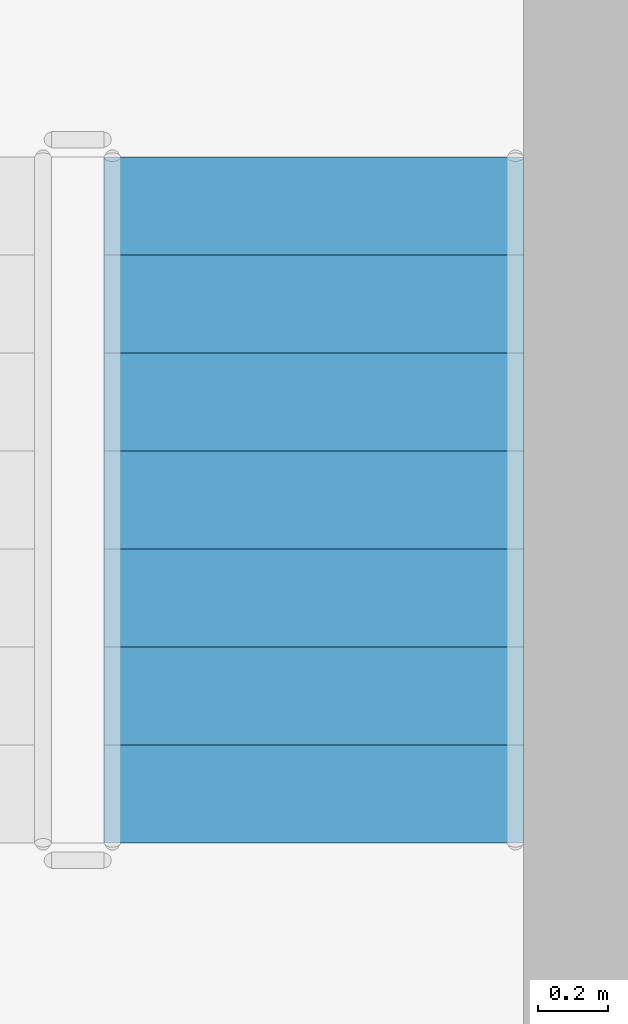
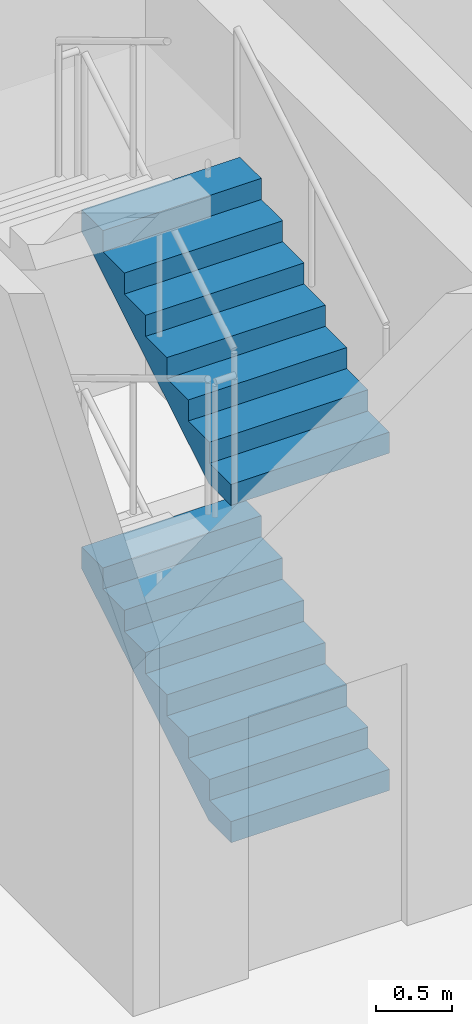
# One storey, part 50 of 101: 2 stair flights, 1 element without a shape of its own.
"""IFC4 building model written with IfcOpenShell, lengths in metres."""

from ifc_helpers import new_model, si_unit, direction, frame, origin, place, context, subcontext, project, spatial, triangles, material, type_object, element, aggregate, save


model = new_model("IFC4")

# Units and contexts
model_context = context("Model", 3, precision=1e-05, world=origin(), true_north=direction((0.0, 1.0)))
body_context = subcontext(model_context, "Body", "Model", "MODEL_VIEW")
ifc_project = project(units=[si_unit("LENGTHUNIT", "METRE"), si_unit("AREAUNIT", "SQUARE_METRE"), si_unit("VOLUMEUNIT", "CUBIC_METRE"), si_unit("PLANEANGLEUNIT", "RADIAN"), si_unit("MASSUNIT", "GRAM", prefix="KILO")], contexts=[model_context])

# Site, building, storey
site_placement = place(None, origin())
site = spatial("IfcSite", under=ifc_project, at=site_placement, CompositionType="ELEMENT")
building_placement = place(site_placement, origin())
building = spatial("IfcBuilding", under=site, at=building_placement, Name="Magnolia Steps Interchange", CompositionType="ELEMENT")
storey_placement = place(building_placement, frame((0.0, 0.0, -5.39990234375)))
storey = spatial("IfcBuildingStorey", under=building, at=storey_placement, Name="B1", CompositionType="ELEMENT", Elevation=-5.39990234375)

# Stair, stair flights
ifc_material_1 = material(Name="Concrete C40", Category="concrete")
stair_type = type_object("IfcStairType", Name="Exit stair 1200", PredefinedType="HALF_TURN_STAIR", material=ifc_material_1)
stair_placement = place(storey_placement, origin())
stair = element("IfcStair", 1, at=stair_placement, inside=storey, type_object=stair_type, Name="B1 Stair 20", PredefinedType="HALF_TURN_STAIR")
ifc_material_2 = material(Name="Concrete C40", Category="concrete")
stair_flight_type = type_object("IfcStairFlightType", Name="Exit stair flight", PredefinedType="STRAIGHT", material=ifc_material_2)
stair_flight_1_placement = place(storey_placement, frame((95.300048828125, 38.699951171875, 0.0), z_axis=(0.0, 0.0, 1.0), x_axis=(0.0, 1.0, 0.0)))
stair_flight_1 = element("IfcStairFlight", 2, at=stair_flight_1_placement, type_object=stair_flight_type, Name="Stair 20 flight 1", NumberOfRisers=8, NumberOfTreads=7, PredefinedType="STRAIGHT", RiserHeight=0.16875, TreadLength=0.28, context=body_context, shape_type="Tessellation", body=[
    triangles([(0.0, -0.5999755859375, 0.0), (0.29052734375, -0.5999755859375, 0.0), (1.9599609375, -0.5999755859375, 1.00634765625), (1.9599609375, -0.5999755859375, 1.18115234375), (1.679931640625, -0.5999755859375, 1.18115234375), (1.679931640625, -0.5999755859375, 1.012451171875), (1.39990234375, -0.5999755859375, 1.012451171875), (1.39990234375, -0.5999755859375, 0.84375), (1.1201171875, -0.5999755859375, 0.84375), (1.1201171875, -0.5999755859375, 0.675048828125), (0.840087890625, -0.5999755859375, 0.675048828125), (0.840087890625, -0.5999755859375, 0.50634765625), (0.56005859375, -0.5999755859375, 0.50634765625), (0.56005859375, -0.5999755859375, 0.33740234375), (0.280029296875, -0.5999755859375, 0.33740234375), (0.280029296875, -0.5999755859375, 0.168701171875), (0.0, -0.5999755859375, 0.168701171875), (0.0, 0.5999755859375, 0.0), (0.29052734375, 0.5999755859375, 0.0), (1.9599609375, 0.5999755859375, 1.00634765625), (1.9599609375, 0.5999755859375, 1.18115234375), (1.679931640625, 0.5999755859375, 1.18115234375), (1.679931640625, 0.5999755859375, 1.012451171875), (1.39990234375, 0.5999755859375, 1.012451171875), (1.39990234375, 0.5999755859375, 0.84375), (1.1201171875, 0.5999755859375, 0.84375), (1.1201171875, 0.5999755859375, 0.675048828125), (0.840087890625, 0.5999755859375, 0.675048828125), (0.840087890625, 0.5999755859375, 0.50634765625), (0.56005859375, 0.5999755859375, 0.50634765625), (0.56005859375, 0.5999755859375, 0.33740234375), (0.280029296875, 0.5999755859375, 0.33740234375), (0.280029296875, 0.5999755859375, 0.168701171875), (0.0, 0.5999755859375, 0.168701171875), (0.0, 0.0, 0.0), (0.0, 0.0, 0.04217529296875), (0.0, 0.0, 0.0843505859375), (0.0, 0.0, 0.12652587890625), (0.0, 0.0, 0.168701171875), (0.0, -0.05, 0.0), (0.0, -0.05, 0.168701171875), (0.0, 0.05, 0.0), (0.0, 0.05, 0.168701171875), (0.046671549479166664, 0.0, 0.168701171875), (0.09334309895833333, 0.0, 0.168701171875), (0.1400146484375, 0.0, 0.168701171875), (0.18668619791666666, 0.0, 0.168701171875), (0.23335774739583334, 0.0, 0.168701171875), (0.280029296875, 0.0, 0.168701171875), (0.280029296875, -0.05, 0.168701171875), (0.280029296875, 0.05, 0.168701171875), (0.280029296875, 0.0, 0.21087646484375), (0.280029296875, 0.0, 0.2530517578125), (0.280029296875, 0.0, 0.29522705078125), (0.280029296875, 0.0, 0.33740234375), (0.280029296875, -0.05, 0.33740234375), (0.280029296875, 0.05, 0.33740234375), (0.3267008463541667, 0.0, 0.33740234375), (0.3733723958333333, 0.0, 0.33740234375), (0.4200439453125, 0.0, 0.33740234375), (0.46671549479166663, 0.0, 0.33740234375), (0.5133870442708334, 0.0, 0.33740234375), (0.56005859375, 0.0, 0.33740234375), (0.56005859375, -0.05, 0.33740234375), (0.56005859375, 0.05, 0.33740234375), (0.56005859375, 0.0, 0.379638671875), (0.56005859375, 0.0, 0.421875), (0.56005859375, 0.0, 0.464111328125), (0.56005859375, 0.0, 0.50634765625), (0.56005859375, -0.05, 0.50634765625), (0.56005859375, 0.05, 0.50634765625), (0.6067301432291666, 0.0, 0.50634765625), (0.6534016927083334, 0.0, 0.50634765625), (0.7000732421875, 0.0, 0.50634765625), (0.7467447916666666, 0.0, 0.50634765625), (0.7934163411458334, 0.0, 0.50634765625), (0.840087890625, 0.0, 0.50634765625), (0.840087890625, -0.05, 0.50634765625), (0.840087890625, 0.05, 0.50634765625), (0.840087890625, 0.0, 0.54852294921875), (0.840087890625, 0.0, 0.5906982421875), (0.840087890625, 0.0, 0.63287353515625), (0.840087890625, 0.0, 0.675048828125), (0.840087890625, -0.05, 0.675048828125), (0.840087890625, 0.05, 0.675048828125), (0.8867594401041666, 0.0, 0.675048828125), (0.9334309895833334, 0.0, 0.675048828125), (0.9801025390625, 0.0, 0.675048828125), (1.0267740885416667, 0.0, 0.675048828125), (1.0734456380208333, 0.0, 0.675048828125), (1.1201171875, 0.0, 0.675048828125), (1.1201171875, -0.05, 0.675048828125), (1.1201171875, 0.05, 0.675048828125), (1.1201171875, 0.0, 0.71722412109375), (1.1201171875, 0.0, 0.7593994140625), (1.1201171875, 0.0, 0.80157470703125), (1.1201171875, 0.0, 0.84375), (1.1201171875, -0.05, 0.84375), (1.1201171875, 0.05, 0.84375), (1.1900634765625, 0.0, 0.84375), (1.260009765625, 0.0, 0.84375), (1.3299560546875, 0.0, 0.84375), (1.39990234375, 0.0, 0.84375), (1.39990234375, -0.05, 0.84375), (1.39990234375, 0.05, 0.84375), (1.39990234375, 0.0, 0.88592529296875), (1.39990234375, 0.0, 0.9281005859375), (1.39990234375, 0.0, 0.97027587890625), (1.39990234375, 0.0, 1.012451171875), (1.39990234375, -0.05, 1.012451171875), (1.39990234375, 0.05, 1.012451171875), (1.4465738932291667, 0.0, 1.012451171875), (1.4932454427083333, 0.0, 1.012451171875), (1.5399169921875, 0.0, 1.012451171875), (1.5865885416666667, 0.0, 1.012451171875), (1.6332600911458333, 0.0, 1.012451171875), (1.679931640625, 0.0, 1.012451171875), (1.679931640625, -0.05, 1.012451171875), (1.679931640625, 0.05, 1.012451171875), (1.679931640625, 0.0, 1.05462646484375), (1.679931640625, 0.0, 1.0968017578125), (1.679931640625, 0.0, 1.13897705078125), (1.679931640625, 0.0, 1.18115234375), (1.679931640625, -0.05, 1.18115234375), (1.679931640625, 0.05, 1.18115234375), (1.7266031901041667, 0.0, 1.18115234375), (1.7732747395833333, 0.0, 1.18115234375), (1.8199462890625, 0.0, 1.18115234375), (1.8666178385416667, 0.0, 1.18115234375), (1.9132893880208333, 0.0, 1.18115234375), (1.9599609375, 0.0, 1.18115234375), (1.9599609375, -0.05, 1.18115234375), (1.9599609375, 0.05, 1.18115234375), (1.9599609375, 0.0, 1.137451171875), (1.9599609375, 0.0, 1.09375), (1.9599609375, 0.0, 1.050048828125), (1.9599609375, 0.0, 1.00634765625), (1.9599609375, -0.05, 1.00634765625), (1.9599609375, 0.05, 1.00634765625), (1.9003383091517858, 0.0, 0.9704066685267857), (1.8407156808035714, 0.0, 0.9344656808035714), (1.7810930524553572, 0.0, 0.8985246930803571), (1.7214704241071428, 0.0, 0.8625837053571428), (1.6618477957589286, 0.0, 0.8266427176339286), (1.6022251674107144, 0.0, 0.7907017299107143), (1.5426025390625, 0.0, 0.7547607421875), (1.4829799107142856, 0.0, 0.7188197544642857), (1.4233572823660714, 0.0, 0.6828787667410714), (1.3637346540178572, 0.0, 0.6469377790178572), (1.3041120256696428, 0.0, 0.6109967912946428), (1.2444893973214286, 0.0, 0.5750558035714286), (1.1848667689732144, 0.0, 0.5391148158482143), (1.125244140625, 0.0, 0.503173828125), (1.0656215122767856, 0.0, 0.4672328404017857), (1.0059988839285714, 0.0, 0.4312918526785714), (0.9463762555803572, 0.0, 0.3953508649553571), (0.8867536272321428, 0.0, 0.3594098772321429), (0.8271309988839286, 0.0, 0.3234688895089286), (0.7675083705357142, 0.0, 0.2875279017857143), (0.7078857421875, 0.0, 0.2515869140625), (0.6482631138392858, 0.0, 0.2156459263392857), (0.5886404854910714, 0.0, 0.1797049386160714), (0.5290178571428572, 0.0, 0.1437639508928571), (0.4693952287946428, 0.0, 0.1078229631696429), (0.4097726004464286, 0.0, 0.0718819754464286), (0.3501499720982142, 0.0, 0.0359409877232143), (0.29052734375, 0.0, 0.0), (0.29052734375, -0.05, 0.0), (0.29052734375, 0.05, 0.0), (0.24210611979166666, 0.0, 0.0), (0.19368489583333331, 0.0, 0.0), (0.145263671875, 0.0, 0.0), (0.09684244791666666, 0.0, 0.0), (0.04842122395833334, 0.0, 0.0)], [[1, 2, 3], [3, 4, 5], [3, 5, 6], [3, 6, 7], [3, 7, 8], [8, 9, 10], [3, 8, 10], [10, 11, 12], [3, 10, 12], [12, 13, 14], [3, 12, 14], [14, 15, 16], [3, 14, 16], [1, 3, 16], [16, 17, 1], [18, 20, 19], [20, 22, 21], [20, 23, 22], [20, 24, 23], [20, 25, 24], [25, 27, 26], [20, 27, 25], [27, 29, 28], [20, 29, 27], [29, 31, 30], [20, 31, 29], [31, 33, 32], [20, 33, 31], [18, 33, 20], [33, 18, 34], [1, 17, 41], [1, 41, 40], [40, 36, 35], [40, 37, 36], [40, 41, 37], [41, 38, 37], [41, 39, 38], [18, 43, 34], [18, 42, 43], [42, 35, 36], [42, 36, 37], [42, 37, 43], [43, 37, 38], [43, 38, 39], [17, 16, 50], [17, 50, 41], [41, 44, 39], [41, 45, 44], [41, 46, 45], [41, 50, 46], [50, 47, 46], [50, 48, 47], [50, 49, 48], [34, 51, 33], [34, 43, 51], [43, 39, 44], [43, 44, 45], [43, 45, 46], [43, 46, 51], [51, 46, 47], [51, 47, 48], [51, 48, 49], [16, 15, 56], [16, 56, 50], [50, 52, 49], [50, 53, 52], [50, 56, 53], [56, 54, 53], [56, 55, 54], [33, 57, 32], [33, 51, 57], [51, 49, 52], [51, 52, 53], [51, 53, 57], [57, 53, 54], [57, 54, 55], [15, 14, 64], [15, 64, 56], [56, 58, 55], [56, 59, 58], [56, 60, 59], [56, 64, 60], [64, 61, 60], [64, 62, 61], [64, 63, 62], [32, 65, 31], [32, 57, 65], [57, 55, 58], [57, 58, 59], [57, 59, 60], [57, 60, 65], [65, 60, 61], [65, 61, 62], [65, 62, 63], [14, 13, 70], [14, 70, 64], [64, 66, 63], [64, 67, 66], [64, 70, 67], [70, 68, 67], [70, 69, 68], [31, 71, 30], [31, 65, 71], [65, 63, 66], [65, 66, 67], [65, 67, 71], [71, 67, 68], [71, 68, 69], [13, 12, 78], [13, 78, 70], [70, 72, 69], [70, 73, 72], [70, 74, 73], [70, 78, 74], [78, 75, 74], [78, 76, 75], [78, 77, 76], [30, 79, 29], [30, 71, 79], [71, 69, 72], [71, 72, 73], [71, 73, 74], [71, 74, 79], [79, 74, 75], [79, 75, 76], [79, 76, 77], [12, 11, 84], [12, 84, 78], [78, 80, 77], [78, 81, 80], [78, 84, 81], [84, 82, 81], [84, 83, 82], [29, 85, 28], [29, 79, 85], [79, 77, 80], [79, 80, 81], [79, 81, 85], [85, 81, 82], [85, 82, 83], [11, 10, 92], [11, 92, 84], [84, 86, 83], [84, 87, 86], [84, 88, 87], [84, 92, 88], [92, 89, 88], [92, 90, 89], [92, 91, 90], [28, 93, 27], [28, 85, 93], [85, 83, 86], [85, 86, 87], [85, 87, 88], [85, 88, 93], [93, 88, 89], [93, 89, 90], [93, 90, 91], [10, 9, 98], [10, 98, 92], [92, 94, 91], [92, 95, 94], [92, 98, 95], [98, 96, 95], [98, 97, 96], [27, 99, 26], [27, 93, 99], [93, 91, 94], [93, 94, 95], [93, 95, 99], [99, 95, 96], [99, 96, 97], [9, 8, 104], [9, 104, 98], [98, 100, 97], [98, 101, 100], [98, 104, 101], [104, 102, 101], [104, 103, 102], [26, 105, 25], [26, 99, 105], [99, 97, 100], [99, 100, 101], [99, 101, 105], [105, 101, 102], [105, 102, 103], [8, 7, 110], [8, 110, 104], [104, 106, 103], [104, 107, 106], [104, 110, 107], [110, 108, 107], [110, 109, 108], [25, 111, 24], [25, 105, 111], [105, 103, 106], [105, 106, 107], [105, 107, 111], [111, 107, 108], [111, 108, 109], [7, 6, 118], [7, 118, 110], [110, 112, 109], [110, 113, 112], [110, 114, 113], [110, 118, 114], [118, 115, 114], [118, 116, 115], [118, 117, 116], [24, 119, 23], [24, 111, 119], [111, 109, 112], [111, 112, 113], [111, 113, 114], [111, 114, 119], [119, 114, 115], [119, 115, 116], [119, 116, 117], [6, 5, 124], [6, 124, 118], [118, 120, 117], [118, 121, 120], [118, 124, 121], [124, 122, 121], [124, 123, 122], [23, 125, 22], [23, 119, 125], [119, 117, 120], [119, 120, 121], [119, 121, 125], [125, 121, 122], [125, 122, 123], [5, 4, 132], [5, 132, 124], [124, 126, 123], [124, 127, 126], [124, 128, 127], [124, 132, 128], [132, 129, 128], [132, 130, 129], [132, 131, 130], [22, 133, 21], [22, 125, 133], [125, 123, 126], [125, 126, 127], [125, 127, 128], [125, 128, 133], [133, 128, 129], [133, 129, 130], [133, 130, 131], [4, 3, 138], [4, 138, 132], [132, 134, 131], [132, 135, 134], [132, 138, 135], [138, 136, 135], [138, 137, 136], [21, 139, 20], [21, 133, 139], [133, 131, 134], [133, 134, 135], [133, 135, 139], [139, 135, 136], [139, 136, 137], [3, 2, 168], [3, 168, 138], [138, 140, 137], [138, 141, 140], [138, 142, 141], [138, 143, 142], [138, 144, 143], [138, 145, 144], [138, 146, 145], [138, 147, 146], [138, 148, 147], [138, 149, 148], [138, 150, 149], [138, 151, 150], [138, 152, 151], [138, 153, 152], [138, 168, 153], [168, 154, 153], [168, 155, 154], [168, 156, 155], [168, 157, 156], [168, 158, 157], [168, 159, 158], [168, 160, 159], [168, 161, 160], [168, 162, 161], [168, 163, 162], [168, 164, 163], [168, 165, 164], [168, 166, 165], [168, 167, 166], [20, 169, 19], [20, 139, 169], [139, 137, 140], [139, 140, 141], [139, 141, 142], [139, 142, 143], [139, 143, 144], [139, 144, 145], [139, 145, 146], [139, 146, 147], [139, 147, 148], [139, 148, 149], [139, 149, 150], [139, 150, 151], [139, 151, 152], [139, 152, 153], [139, 153, 169], [169, 153, 154], [169, 154, 155], [169, 155, 156], [169, 156, 157], [169, 157, 158], [169, 158, 159], [169, 159, 160], [169, 160, 161], [169, 161, 162], [169, 162, 163], [169, 163, 164], [169, 164, 165], [169, 165, 166], [169, 166, 167], [2, 1, 40], [2, 40, 168], [168, 170, 167], [168, 171, 170], [168, 172, 171], [168, 40, 172], [40, 173, 172], [40, 174, 173], [40, 35, 174], [19, 42, 18], [19, 169, 42], [169, 167, 170], [169, 170, 171], [169, 171, 172], [169, 172, 42], [42, 172, 173], [42, 173, 174], [42, 174, 35]], closed=True),
])
stair_flight_2_placement = place(storey_placement, frame((95.300048828125, 38.699951171875, 2.699951171875), z_axis=(0.0, 0.0, 1.0), x_axis=(0.0, 1.0, 0.0)))
stair_flight_2 = element("IfcStairFlight", 3, at=stair_flight_2_placement, type_object=stair_flight_type, Name="Stair 20 flight 3", NumberOfRisers=8, NumberOfTreads=7, PredefinedType="STRAIGHT", RiserHeight=0.16875, TreadLength=0.28, context=body_context, shape_type="Tessellation", body=[
    triangles([(0.0, -0.5999755859375, 0.0), (0.29052734375, -0.5999755859375, 0.0), (1.9599609375, -0.5999755859375, 1.00634765625), (1.9599609375, -0.5999755859375, 1.18115234375), (1.679931640625, -0.5999755859375, 1.18115234375), (1.679931640625, -0.5999755859375, 1.012451171875), (1.39990234375, -0.5999755859375, 1.012451171875), (1.39990234375, -0.5999755859375, 0.84375), (1.1201171875, -0.5999755859375, 0.84375), (1.1201171875, -0.5999755859375, 0.675048828125), (0.840087890625, -0.5999755859375, 0.675048828125), (0.840087890625, -0.5999755859375, 0.50634765625), (0.56005859375, -0.5999755859375, 0.50634765625), (0.56005859375, -0.5999755859375, 0.33740234375), (0.280029296875, -0.5999755859375, 0.33740234375), (0.280029296875, -0.5999755859375, 0.168701171875), (0.0, -0.5999755859375, 0.168701171875), (0.0, 0.5999755859375, 0.0), (0.29052734375, 0.5999755859375, 0.0), (1.9599609375, 0.5999755859375, 1.00634765625), (1.9599609375, 0.5999755859375, 1.18115234375), (1.679931640625, 0.5999755859375, 1.18115234375), (1.679931640625, 0.5999755859375, 1.012451171875), (1.39990234375, 0.5999755859375, 1.012451171875), (1.39990234375, 0.5999755859375, 0.84375), (1.1201171875, 0.5999755859375, 0.84375), (1.1201171875, 0.5999755859375, 0.675048828125), (0.840087890625, 0.5999755859375, 0.675048828125), (0.840087890625, 0.5999755859375, 0.50634765625), (0.56005859375, 0.5999755859375, 0.50634765625), (0.56005859375, 0.5999755859375, 0.33740234375), (0.280029296875, 0.5999755859375, 0.33740234375), (0.280029296875, 0.5999755859375, 0.168701171875), (0.0, 0.5999755859375, 0.168701171875), (0.0, 0.0, 0.0), (0.0, 0.0, 0.04217529296875), (0.0, 0.0, 0.0843505859375), (0.0, 0.0, 0.12652587890625), (0.0, 0.0, 0.168701171875), (0.0, -0.05, 0.0), (0.0, -0.05, 0.168701171875), (0.0, 0.05, 0.0), (0.0, 0.05, 0.168701171875), (0.046671549479166664, 0.0, 0.168701171875), (0.09334309895833333, 0.0, 0.168701171875), (0.1400146484375, 0.0, 0.168701171875), (0.18668619791666666, 0.0, 0.168701171875), (0.23335774739583334, 0.0, 0.168701171875), (0.280029296875, 0.0, 0.168701171875), (0.280029296875, -0.05, 0.168701171875), (0.280029296875, 0.05, 0.168701171875), (0.280029296875, 0.0, 0.21087646484375), (0.280029296875, 0.0, 0.2530517578125), (0.280029296875, 0.0, 0.29522705078125), (0.280029296875, 0.0, 0.33740234375), (0.280029296875, -0.05, 0.33740234375), (0.280029296875, 0.05, 0.33740234375), (0.3267008463541667, 0.0, 0.33740234375), (0.3733723958333333, 0.0, 0.33740234375), (0.4200439453125, 0.0, 0.33740234375), (0.46671549479166663, 0.0, 0.33740234375), (0.5133870442708334, 0.0, 0.33740234375), (0.56005859375, 0.0, 0.33740234375), (0.56005859375, -0.05, 0.33740234375), (0.56005859375, 0.05, 0.33740234375), (0.56005859375, 0.0, 0.379638671875), (0.56005859375, 0.0, 0.421875), (0.56005859375, 0.0, 0.464111328125), (0.56005859375, 0.0, 0.50634765625), (0.56005859375, -0.05, 0.50634765625), (0.56005859375, 0.05, 0.50634765625), (0.6067301432291666, 0.0, 0.50634765625), (0.6534016927083334, 0.0, 0.50634765625), (0.7000732421875, 0.0, 0.50634765625), (0.7467447916666666, 0.0, 0.50634765625), (0.7934163411458334, 0.0, 0.50634765625), (0.840087890625, 0.0, 0.50634765625), (0.840087890625, -0.05, 0.50634765625), (0.840087890625, 0.05, 0.50634765625), (0.840087890625, 0.0, 0.54852294921875), (0.840087890625, 0.0, 0.5906982421875), (0.840087890625, 0.0, 0.63287353515625), (0.840087890625, 0.0, 0.675048828125), (0.840087890625, -0.05, 0.675048828125), (0.840087890625, 0.05, 0.675048828125), (0.8867594401041666, 0.0, 0.675048828125), (0.9334309895833334, 0.0, 0.675048828125), (0.9801025390625, 0.0, 0.675048828125), (1.0267740885416667, 0.0, 0.675048828125), (1.0734456380208333, 0.0, 0.675048828125), (1.1201171875, 0.0, 0.675048828125), (1.1201171875, -0.05, 0.675048828125), (1.1201171875, 0.05, 0.675048828125), (1.1201171875, 0.0, 0.71722412109375), (1.1201171875, 0.0, 0.7593994140625), (1.1201171875, 0.0, 0.80157470703125), (1.1201171875, 0.0, 0.84375), (1.1201171875, -0.05, 0.84375), (1.1201171875, 0.05, 0.84375), (1.1900634765625, 0.0, 0.84375), (1.260009765625, 0.0, 0.84375), (1.3299560546875, 0.0, 0.84375), (1.39990234375, 0.0, 0.84375), (1.39990234375, -0.05, 0.84375), (1.39990234375, 0.05, 0.84375), (1.39990234375, 0.0, 0.88592529296875), (1.39990234375, 0.0, 0.9281005859375), (1.39990234375, 0.0, 0.97027587890625), (1.39990234375, 0.0, 1.012451171875), (1.39990234375, -0.05, 1.012451171875), (1.39990234375, 0.05, 1.012451171875), (1.4465738932291667, 0.0, 1.012451171875), (1.4932454427083333, 0.0, 1.012451171875), (1.5399169921875, 0.0, 1.012451171875), (1.5865885416666667, 0.0, 1.012451171875), (1.6332600911458333, 0.0, 1.012451171875), (1.679931640625, 0.0, 1.012451171875), (1.679931640625, -0.05, 1.012451171875), (1.679931640625, 0.05, 1.012451171875), (1.679931640625, 0.0, 1.05462646484375), (1.679931640625, 0.0, 1.0968017578125), (1.679931640625, 0.0, 1.13897705078125), (1.679931640625, 0.0, 1.18115234375), (1.679931640625, -0.05, 1.18115234375), (1.679931640625, 0.05, 1.18115234375), (1.7266031901041667, 0.0, 1.18115234375), (1.7732747395833333, 0.0, 1.18115234375), (1.8199462890625, 0.0, 1.18115234375), (1.8666178385416667, 0.0, 1.18115234375), (1.9132893880208333, 0.0, 1.18115234375), (1.9599609375, 0.0, 1.18115234375), (1.9599609375, -0.05, 1.18115234375), (1.9599609375, 0.05, 1.18115234375), (1.9599609375, 0.0, 1.137451171875), (1.9599609375, 0.0, 1.09375), (1.9599609375, 0.0, 1.050048828125), (1.9599609375, 0.0, 1.00634765625), (1.9599609375, -0.05, 1.00634765625), (1.9599609375, 0.05, 1.00634765625), (1.9003383091517858, 0.0, 0.9704066685267857), (1.8407156808035714, 0.0, 0.9344656808035714), (1.7810930524553572, 0.0, 0.8985246930803571), (1.7214704241071428, 0.0, 0.8625837053571428), (1.6618477957589286, 0.0, 0.8266427176339286), (1.6022251674107144, 0.0, 0.7907017299107143), (1.5426025390625, 0.0, 0.7547607421875), (1.4829799107142856, 0.0, 0.7188197544642857), (1.4233572823660714, 0.0, 0.6828787667410714), (1.3637346540178572, 0.0, 0.6469377790178572), (1.3041120256696428, 0.0, 0.6109967912946428), (1.2444893973214286, 0.0, 0.5750558035714286), (1.1848667689732144, 0.0, 0.5391148158482143), (1.125244140625, 0.0, 0.503173828125), (1.0656215122767856, 0.0, 0.4672328404017857), (1.0059988839285714, 0.0, 0.4312918526785714), (0.9463762555803572, 0.0, 0.3953508649553571), (0.8867536272321428, 0.0, 0.3594098772321429), (0.8271309988839286, 0.0, 0.3234688895089286), (0.7675083705357142, 0.0, 0.2875279017857143), (0.7078857421875, 0.0, 0.2515869140625), (0.6482631138392858, 0.0, 0.2156459263392857), (0.5886404854910714, 0.0, 0.1797049386160714), (0.5290178571428572, 0.0, 0.1437639508928571), (0.4693952287946428, 0.0, 0.1078229631696429), (0.4097726004464286, 0.0, 0.0718819754464286), (0.3501499720982142, 0.0, 0.0359409877232143), (0.29052734375, 0.0, 0.0), (0.29052734375, -0.05, 0.0), (0.29052734375, 0.05, 0.0), (0.24210611979166666, 0.0, 0.0), (0.19368489583333331, 0.0, 0.0), (0.145263671875, 0.0, 0.0), (0.09684244791666666, 0.0, 0.0), (0.04842122395833334, 0.0, 0.0)], [[1, 2, 3], [3, 4, 5], [3, 5, 6], [3, 6, 7], [3, 7, 8], [8, 9, 10], [3, 8, 10], [10, 11, 12], [3, 10, 12], [12, 13, 14], [3, 12, 14], [14, 15, 16], [3, 14, 16], [1, 3, 16], [16, 17, 1], [18, 20, 19], [20, 22, 21], [20, 23, 22], [20, 24, 23], [20, 25, 24], [25, 27, 26], [20, 27, 25], [27, 29, 28], [20, 29, 27], [29, 31, 30], [20, 31, 29], [31, 33, 32], [20, 33, 31], [18, 33, 20], [33, 18, 34], [1, 17, 41], [1, 41, 40], [40, 36, 35], [40, 37, 36], [40, 41, 37], [41, 38, 37], [41, 39, 38], [18, 43, 34], [18, 42, 43], [42, 35, 36], [42, 36, 37], [42, 37, 43], [43, 37, 38], [43, 38, 39], [17, 16, 50], [17, 50, 41], [41, 44, 39], [41, 45, 44], [41, 46, 45], [41, 50, 46], [50, 47, 46], [50, 48, 47], [50, 49, 48], [34, 51, 33], [34, 43, 51], [43, 39, 44], [43, 44, 45], [43, 45, 46], [43, 46, 51], [51, 46, 47], [51, 47, 48], [51, 48, 49], [16, 15, 56], [16, 56, 50], [50, 52, 49], [50, 53, 52], [50, 56, 53], [56, 54, 53], [56, 55, 54], [33, 57, 32], [33, 51, 57], [51, 49, 52], [51, 52, 53], [51, 53, 57], [57, 53, 54], [57, 54, 55], [15, 14, 64], [15, 64, 56], [56, 58, 55], [56, 59, 58], [56, 60, 59], [56, 64, 60], [64, 61, 60], [64, 62, 61], [64, 63, 62], [32, 65, 31], [32, 57, 65], [57, 55, 58], [57, 58, 59], [57, 59, 60], [57, 60, 65], [65, 60, 61], [65, 61, 62], [65, 62, 63], [14, 13, 70], [14, 70, 64], [64, 66, 63], [64, 67, 66], [64, 70, 67], [70, 68, 67], [70, 69, 68], [31, 71, 30], [31, 65, 71], [65, 63, 66], [65, 66, 67], [65, 67, 71], [71, 67, 68], [71, 68, 69], [13, 12, 78], [13, 78, 70], [70, 72, 69], [70, 73, 72], [70, 74, 73], [70, 78, 74], [78, 75, 74], [78, 76, 75], [78, 77, 76], [30, 79, 29], [30, 71, 79], [71, 69, 72], [71, 72, 73], [71, 73, 74], [71, 74, 79], [79, 74, 75], [79, 75, 76], [79, 76, 77], [12, 11, 84], [12, 84, 78], [78, 80, 77], [78, 81, 80], [78, 84, 81], [84, 82, 81], [84, 83, 82], [29, 85, 28], [29, 79, 85], [79, 77, 80], [79, 80, 81], [79, 81, 85], [85, 81, 82], [85, 82, 83], [11, 10, 92], [11, 92, 84], [84, 86, 83], [84, 87, 86], [84, 88, 87], [84, 92, 88], [92, 89, 88], [92, 90, 89], [92, 91, 90], [28, 93, 27], [28, 85, 93], [85, 83, 86], [85, 86, 87], [85, 87, 88], [85, 88, 93], [93, 88, 89], [93, 89, 90], [93, 90, 91], [10, 9, 98], [10, 98, 92], [92, 94, 91], [92, 95, 94], [92, 98, 95], [98, 96, 95], [98, 97, 96], [27, 99, 26], [27, 93, 99], [93, 91, 94], [93, 94, 95], [93, 95, 99], [99, 95, 96], [99, 96, 97], [9, 8, 104], [9, 104, 98], [98, 100, 97], [98, 101, 100], [98, 104, 101], [104, 102, 101], [104, 103, 102], [26, 105, 25], [26, 99, 105], [99, 97, 100], [99, 100, 101], [99, 101, 105], [105, 101, 102], [105, 102, 103], [8, 7, 110], [8, 110, 104], [104, 106, 103], [104, 107, 106], [104, 110, 107], [110, 108, 107], [110, 109, 108], [25, 111, 24], [25, 105, 111], [105, 103, 106], [105, 106, 107], [105, 107, 111], [111, 107, 108], [111, 108, 109], [7, 6, 118], [7, 118, 110], [110, 112, 109], [110, 113, 112], [110, 114, 113], [110, 118, 114], [118, 115, 114], [118, 116, 115], [118, 117, 116], [24, 119, 23], [24, 111, 119], [111, 109, 112], [111, 112, 113], [111, 113, 114], [111, 114, 119], [119, 114, 115], [119, 115, 116], [119, 116, 117], [6, 5, 124], [6, 124, 118], [118, 120, 117], [118, 121, 120], [118, 124, 121], [124, 122, 121], [124, 123, 122], [23, 125, 22], [23, 119, 125], [119, 117, 120], [119, 120, 121], [119, 121, 125], [125, 121, 122], [125, 122, 123], [5, 4, 132], [5, 132, 124], [124, 126, 123], [124, 127, 126], [124, 128, 127], [124, 132, 128], [132, 129, 128], [132, 130, 129], [132, 131, 130], [22, 133, 21], [22, 125, 133], [125, 123, 126], [125, 126, 127], [125, 127, 128], [125, 128, 133], [133, 128, 129], [133, 129, 130], [133, 130, 131], [4, 3, 138], [4, 138, 132], [132, 134, 131], [132, 135, 134], [132, 138, 135], [138, 136, 135], [138, 137, 136], [21, 139, 20], [21, 133, 139], [133, 131, 134], [133, 134, 135], [133, 135, 139], [139, 135, 136], [139, 136, 137], [3, 2, 168], [3, 168, 138], [138, 140, 137], [138, 141, 140], [138, 142, 141], [138, 143, 142], [138, 144, 143], [138, 145, 144], [138, 146, 145], [138, 147, 146], [138, 148, 147], [138, 149, 148], [138, 150, 149], [138, 151, 150], [138, 152, 151], [138, 153, 152], [138, 168, 153], [168, 154, 153], [168, 155, 154], [168, 156, 155], [168, 157, 156], [168, 158, 157], [168, 159, 158], [168, 160, 159], [168, 161, 160], [168, 162, 161], [168, 163, 162], [168, 164, 163], [168, 165, 164], [168, 166, 165], [168, 167, 166], [20, 169, 19], [20, 139, 169], [139, 137, 140], [139, 140, 141], [139, 141, 142], [139, 142, 143], [139, 143, 144], [139, 144, 145], [139, 145, 146], [139, 146, 147], [139, 147, 148], [139, 148, 149], [139, 149, 150], [139, 150, 151], [139, 151, 152], [139, 152, 153], [139, 153, 169], [169, 153, 154], [169, 154, 155], [169, 155, 156], [169, 156, 157], [169, 157, 158], [169, 158, 159], [169, 159, 160], [169, 160, 161], [169, 161, 162], [169, 162, 163], [169, 163, 164], [169, 164, 165], [169, 165, 166], [169, 166, 167], [2, 1, 40], [2, 40, 168], [168, 170, 167], [168, 171, 170], [168, 172, 171], [168, 40, 172], [40, 173, 172], [40, 174, 173], [40, 35, 174], [19, 42, 18], [19, 169, 42], [169, 167, 170], [169, 170, 171], [169, 171, 172], [169, 172, 42], [42, 172, 173], [42, 173, 174], [42, 174, 35]], closed=True),
])
aggregate(stair, [stair_flight_1, stair_flight_2])

save(model, "model.ifc")
